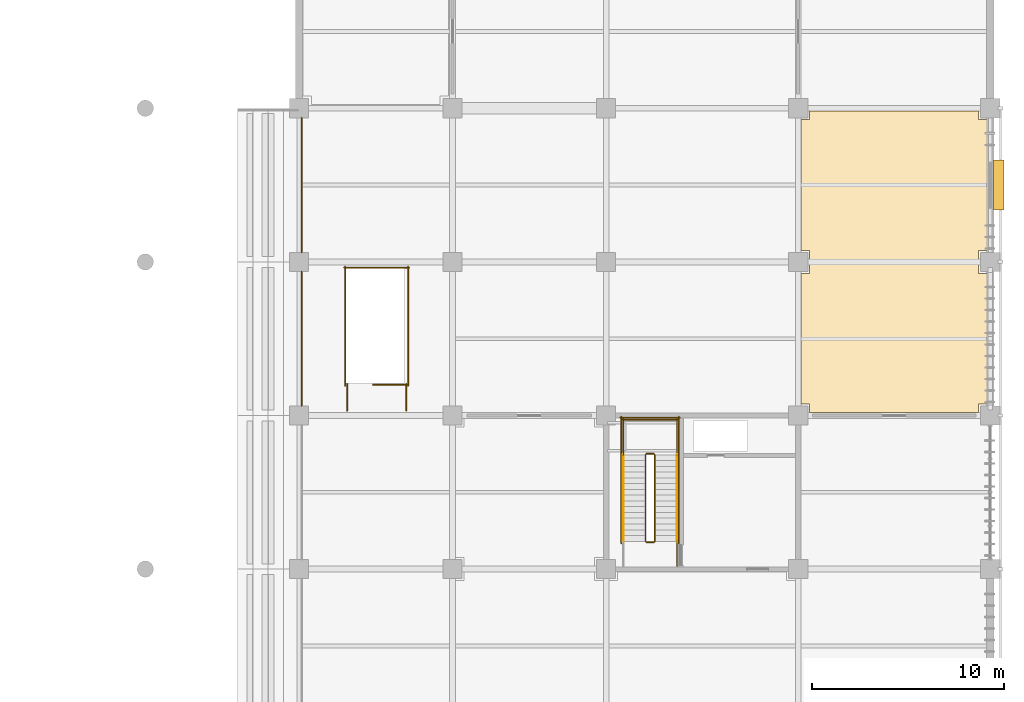
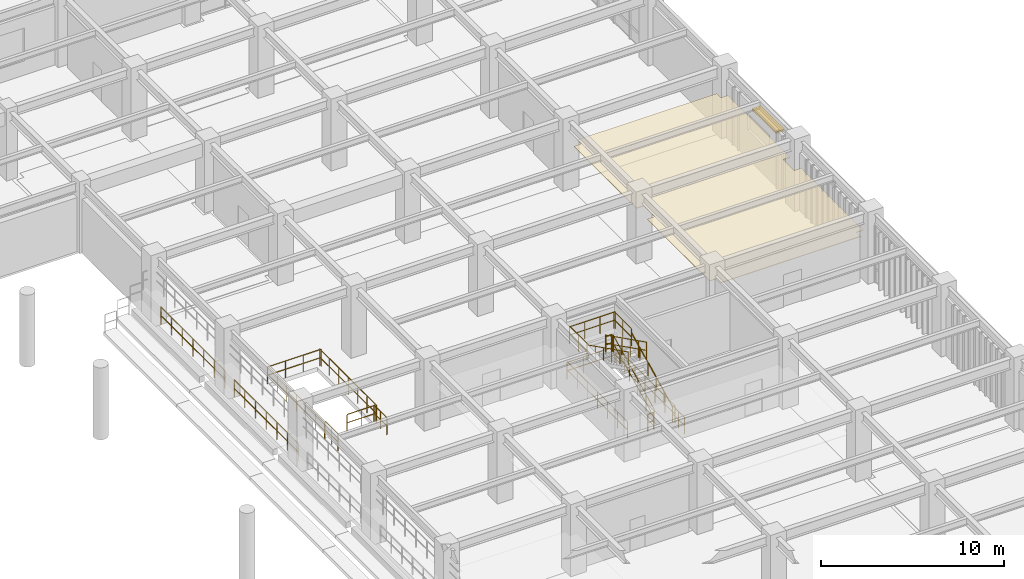
# One storey, part 113 of 117: 21 railings, 1 covering, 1 shading device.
"""IFC4 building model written with IfcOpenShell, lengths in metres."""

from ifc_helpers import new_model, si_unit, direction, frame, origin, origin_2d, place, context, subcontext, project, spatial, polyline, rectangle, circle, outline, extrude, material, layer, layer_set, type_object, element, save


model = new_model("IFC4")

# Units and contexts
model_context = context("Model", 3, precision=1e-05, world=origin(), true_north=direction((0.0, 1.0)))
body_context = subcontext(model_context, "Body", "Model", "MODEL_VIEW")
ifc_project = project(units=[si_unit("LENGTHUNIT", "METRE"), si_unit("AREAUNIT", "SQUARE_METRE"), si_unit("VOLUMEUNIT", "CUBIC_METRE"), si_unit("PLANEANGLEUNIT", "RADIAN"), si_unit("MASSUNIT", "GRAM", prefix="KILO")], contexts=[model_context])

# Site, building, storey
site_placement = place(None, origin())
site = spatial("IfcSite", under=ifc_project, at=site_placement, CompositionType="ELEMENT")
building_placement = place(site_placement, origin())
building = spatial("IfcBuilding", under=site, at=building_placement, Name="Haebicheon Civic Stadium", CompositionType="ELEMENT")
storey_placement = place(building_placement, frame((0.0, 0.0, 4.800048828125)))
storey = spatial("IfcBuildingStorey", under=building, at=storey_placement, Name="L02", CompositionType="ELEMENT", Elevation=4.800048828125)

# Covering
ifc_material_1 = material(Name="Perforated mineral-fibre acoustic board", Category="gypsum")
ifc_layer_1 = layer(ifc_material_1, 0.0400390625, Name="Perforated mineral-fibre acoustic board")
ifc_layer_set_1 = layer_set([ifc_layer_1], Name="Perforated mineral-fibre acoustic board")
covering_type = type_object("IfcCoveringType", Name="COV-CLG-AC", PredefinedType="CEILING", material=ifc_layer_set_1)
covering_placement = place(storey_placement, frame((0.0, 0.0, 2.81005859375)))
element("IfcCovering", 1, at=covering_placement, inside=storey, type_object=covering_type, material=ifc_layer_set_1, Name="L02 Community Fitness Studio acoustic ceiling", PredefinedType="CEILING", context=body_context, shape_type="SweptSolid", body=[
    extrude(outline(polyline([(226.594970703125, 112.14501953125), (226.594970703125, 112.594970703125), (226.14501953125, 112.594970703125), (226.14501953125, 119.405029296875), (226.594970703125, 119.405029296875), (226.594970703125, 120.594970703125), (226.14501953125, 120.594970703125), (226.14501953125, 127.405029296875), (226.594970703125, 127.405029296875), (226.594970703125, 127.85498046875), (235.405029296875, 127.85498046875), (235.405029296875, 127.405029296875), (235.85498046875, 127.405029296875), (235.85498046875, 120.594970703125), (235.405029296875, 120.594970703125), (235.405029296875, 119.405029296875), (235.85498046875, 119.405029296875), (235.85498046875, 112.594970703125), (235.405029296875, 112.594970703125), (235.405029296875, 112.14501953125), (226.594970703125, 112.14501953125)])), origin(), (0.0, 0.0, 1.0), 0.039794921875),
])

# Railings
ifc_material_2 = material(Name="Stainless steel 316 and laminated glass", Category="steel")
railing_type_1 = type_object("IfcRailingType", Name="RL-BAL-1200", PredefinedType="BALUSTRADE", material=ifc_material_2)
for number, where, name in (
    (2, (200.139892578125, 112.5, 0.0), "L02 concourse bowl-edge balustrade 040"),
    (3, (200.139892578125, 120.5, 0.0), "L02 concourse bowl-edge balustrade 041"),
):
    element("IfcRailing", number, at=place(storey_placement, frame(where)), inside=storey, type_object=railing_type_1, material=ifc_material_2, Name=name, PredefinedType="BALUSTRADE", context=body_context, shape_type="SweptSolid", body=[
        extrude(circle(Radius=0.02392578125, at=origin_2d()), frame((0.0, 0.0, 1.17578125), z_axis=(0.0, 1.0, 0.0), x_axis=(-1.0, 0.0, 0.0)), (0.0, 0.0, 1.0), 7.0),
        extrude(circle(Radius=0.02392578125, at=origin_2d()), frame((0.0, 0.0, 0.60009765625), z_axis=(0.0, 1.0, 0.0), x_axis=(-1.0, 0.0, 0.0)), (0.0, 0.0, 1.0), 7.0),
        extrude(circle(Radius=0.02099609375, at=origin_2d()), origin(), (0.0, 0.0, 1.0), 1.15185546875),
        extrude(circle(Radius=0.02099609375, at=origin_2d()), frame((0.0, 1.166748046875, 0.0)), (0.0, 0.0, 1.0), 1.15185546875),
        extrude(circle(Radius=0.02099609375, at=origin_2d()), frame((0.0, 2.333251953125, 0.0)), (0.0, 0.0, 1.0), 1.15185546875),
        extrude(circle(Radius=0.02099609375, at=origin_2d()), frame((0.0, 3.5, 0.0)), (0.0, 0.0, 1.0), 1.15185546875),
        extrude(circle(Radius=0.02099609375, at=origin_2d()), frame((0.0, 4.666748046875, 0.0)), (0.0, 0.0, 1.0), 1.15185546875),
        extrude(circle(Radius=0.02099609375, at=origin_2d()), frame((0.0, 5.833251953125, 0.0)), (0.0, 0.0, 1.0), 1.15185546875),
        extrude(circle(Radius=0.02099609375, at=origin_2d()), frame((0.0, 7.0, 0.0)), (0.0, 0.0, 1.0), 1.15185546875),
    ])
ifc_material_3 = material(Name="Galvanised painted steel SM355", Category="steel")
railing_type_2 = type_object("IfcRailingType", Name="RL-GRD-1150", PredefinedType="GUARDRAIL", material=ifc_material_3)
railing_1_placement = place(storey_placement, frame((218.530029296875, 105.449951171875, 0.14990234375)))
element("IfcRailing", 4, at=railing_1_placement, inside=storey, type_object=railing_type_2, material=ifc_material_3, Name="L02 ST-13 stair guard 1", PredefinedType="GUARDRAIL", context=body_context, shape_type="SweptSolid", body=[
    extrude(circle(Radius=0.02392578125, at=origin_2d()), frame((0.0, 0.0, 1.1259765625), z_axis=(0.0, 0.894427191, 0.4472135955), x_axis=(-1.0, 0.0, 0.0)), (0.0, 0.0, 1.0), 5.03125),
    extrude(circle(Radius=0.02392578125, at=origin_2d()), frame((0.0, 0.0, 0.574951171875), z_axis=(0.0, 0.894427191, 0.4472135955), x_axis=(-1.0, 0.0, 0.0)), (0.0, 0.0, 1.0), 5.03125),
    extrude(circle(Radius=0.02099609375, at=origin_2d()), origin(), (0.0, 0.0, 1.0), 1.101806640625),
    extrude(circle(Radius=0.02099609375, at=origin_2d()), frame((0.0, 0.89990234375, 0.449951171875)), (0.0, 0.0, 1.0), 1.101806640625),
    extrude(circle(Radius=0.02099609375, at=origin_2d()), frame((0.0, 1.800048828125, 0.89990234375)), (0.0, 0.0, 1.0), 1.101806640625),
    extrude(circle(Radius=0.02099609375, at=origin_2d()), frame((0.0, 2.699951171875, 1.35009765625)), (0.0, 0.0, 1.0), 1.101806640625),
    extrude(circle(Radius=0.02099609375, at=origin_2d()), frame((0.0, 3.60009765625, 1.800048828125)), (0.0, 0.0, 1.0), 1.101806640625),
    extrude(circle(Radius=0.02099609375, at=origin_2d()), frame((0.0, 4.5, 2.25)), (0.0, 0.0, 1.0), 1.101806640625),
])
railing_2_placement = place(storey_placement, frame((218.47998046875, 110.0, 2.39990234375)))
element("IfcRailing", 5, at=railing_2_placement, inside=storey, type_object=railing_type_2, material=ifc_material_3, Name="L02 ST-13 stair guard 2", PredefinedType="GUARDRAIL", context=body_context, shape_type="SweptSolid", body=[
    extrude(circle(Radius=0.02392578125, at=origin_2d()), frame((0.0, 0.0, 1.1259765625), z_axis=(-1.0, 0.0, 0.0), x_axis=(0.0, -1.0, 0.0)), (0.0, 0.0, 1.0), 0.3798828125),
    extrude(circle(Radius=0.02392578125, at=origin_2d()), frame((0.0, 0.0, 0.574951171875), z_axis=(-1.0, 0.0, 0.0), x_axis=(0.0, -1.0, 0.0)), (0.0, 0.0, 1.0), 0.3798828125),
    extrude(circle(Radius=0.02099609375, at=origin_2d()), origin(), (0.0, 0.0, 1.0), 1.101806640625),
    extrude(circle(Radius=0.02099609375, at=origin_2d()), frame((-0.3798828125, 0.0, 0.0)), (0.0, 0.0, 1.0), 1.101806640625),
])
for number, where, name in (
    (6, (219.68994140625, 109.949951171875, 2.39990234375), "L02 ST-13 stair guard 3"),
    (7, (216.889892578125, 109.949951171875, 2.39990234375), "L02 ST-13 stair guard 4"),
):
    element("IfcRailing", number, at=place(storey_placement, frame(where)), inside=storey, type_object=railing_type_2, material=ifc_material_3, Name=name, PredefinedType="GUARDRAIL", context=body_context, shape_type="SweptSolid", body=[
        extrude(circle(Radius=0.02392578125, at=origin_2d()), frame((0.0, 0.0, 1.1259765625), z_axis=(0.0, 1.0, 0.0), x_axis=(-1.0, 0.0, 0.0)), (0.0, 0.0, 1.0), 1.89013671875),
        extrude(circle(Radius=0.02392578125, at=origin_2d()), frame((0.0, 0.0, 0.574951171875), z_axis=(0.0, 1.0, 0.0), x_axis=(-1.0, 0.0, 0.0)), (0.0, 0.0, 1.0), 1.89013671875),
        extrude(circle(Radius=0.02099609375, at=origin_2d()), origin(), (0.0, 0.0, 1.0), 1.101806640625),
        extrude(circle(Radius=0.02099609375, at=origin_2d()), frame((0.0, 0.945068359375, 0.0)), (0.0, 0.0, 1.0), 1.101806640625),
        extrude(circle(Radius=0.02099609375, at=origin_2d()), frame((0.0, 1.89013671875, 0.0)), (0.0, 0.0, 1.0), 1.101806640625),
    ])
railing_3_placement = place(storey_placement, frame((219.739990234375, 111.7900390625, 2.39990234375)))
element("IfcRailing", 8, at=railing_3_placement, inside=storey, type_object=railing_type_2, material=ifc_material_3, Name="L02 ST-13 stair guard 5", PredefinedType="GUARDRAIL", context=body_context, shape_type="SweptSolid", body=[
    extrude(circle(Radius=0.02392578125, at=origin_2d()), frame((0.0, 0.0, 1.1259765625), z_axis=(-1.0, 0.0, 0.0), x_axis=(0.0, -1.0, 0.0)), (0.0, 0.0, 1.0), 2.89990234375),
    extrude(circle(Radius=0.02392578125, at=origin_2d()), frame((0.0, 0.0, 0.574951171875), z_axis=(-1.0, 0.0, 0.0), x_axis=(0.0, -1.0, 0.0)), (0.0, 0.0, 1.0), 2.89990234375),
    extrude(circle(Radius=0.02099609375, at=origin_2d()), origin(), (0.0, 0.0, 1.0), 1.101806640625),
    extrude(circle(Radius=0.02099609375, at=origin_2d()), frame((-0.966552734375, 0.0, 0.0)), (0.0, 0.0, 1.0), 1.101806640625),
    extrude(circle(Radius=0.02099609375, at=origin_2d()), frame((-1.933349609375, 0.0, 0.0)), (0.0, 0.0, 1.0), 1.101806640625),
    extrude(circle(Radius=0.02099609375, at=origin_2d()), frame((-2.89990234375, 0.0, 0.0)), (0.0, 0.0, 1.0), 1.101806640625),
])
railing_4_placement = place(storey_placement, frame((218.050048828125, 109.949951171875, 2.550048828125)))
element("IfcRailing", 9, at=railing_4_placement, inside=storey, type_object=railing_type_2, material=ifc_material_3, Name="L02 ST-13 stair guard 6", PredefinedType="GUARDRAIL", context=body_context, shape_type="SweptSolid", body=[
    extrude(circle(Radius=0.02392578125, at=origin_2d()), frame((0.0, 0.0, 1.1259765625), z_axis=(0.0, -0.894427191, 0.4472135955), x_axis=(1.0, 0.0, 0.0)), (0.0, 0.0, 1.0), 5.03125),
    extrude(circle(Radius=0.02392578125, at=origin_2d()), frame((0.0, 0.0, 0.574951171875), z_axis=(0.0, -0.894427191, 0.4472135955), x_axis=(1.0, 0.0, 0.0)), (0.0, 0.0, 1.0), 5.03125),
    extrude(circle(Radius=0.02099609375, at=origin_2d()), origin(), (0.0, 0.0, 1.0), 1.101806640625),
    extrude(circle(Radius=0.02099609375, at=origin_2d()), frame((0.0, -0.89990234375, 0.449951171875)), (0.0, 0.0, 1.0), 1.101806640625),
    extrude(circle(Radius=0.02099609375, at=origin_2d()), frame((0.0, -1.800048828125, 0.89990234375)), (0.0, 0.0, 1.0), 1.101806640625),
    extrude(circle(Radius=0.02099609375, at=origin_2d()), frame((0.0, -2.699951171875, 1.35009765625)), (0.0, 0.0, 1.0), 1.101806640625),
    extrude(circle(Radius=0.02099609375, at=origin_2d()), frame((0.0, -3.60009765625, 1.800048828125)), (0.0, 0.0, 1.0), 1.101806640625),
    extrude(circle(Radius=0.02099609375, at=origin_2d()), frame((0.0, -4.5, 2.25)), (0.0, 0.0, 1.0), 1.101806640625),
])
railing_5_placement = place(storey_placement, frame((218.47998046875, 105.39990234375, 0.0)))
element("IfcRailing", 10, at=railing_5_placement, inside=storey, type_object=railing_type_2, material=ifc_material_3, Name="L02 ST-13 stair guard 7", PredefinedType="GUARDRAIL", context=body_context, shape_type="SweptSolid", body=[
    extrude(circle(Radius=0.02392578125, at=origin_2d()), frame((0.0, 0.0, 1.1259765625), z_axis=(-1.0, 0.0, 0.0), x_axis=(0.0, -1.0, 0.0)), (0.0, 0.0, 1.0), 0.3798828125),
    extrude(circle(Radius=0.02392578125, at=origin_2d()), frame((0.0, 0.0, 0.574951171875), z_axis=(-1.0, 0.0, 0.0), x_axis=(0.0, -1.0, 0.0)), (0.0, 0.0, 1.0), 0.3798828125),
    extrude(circle(Radius=0.02099609375, at=origin_2d()), origin(), (0.0, 0.0, 1.0), 1.101806640625),
    extrude(circle(Radius=0.02099609375, at=origin_2d()), frame((-0.3798828125, 0.0, 0.0)), (0.0, 0.0, 1.0), 1.101806640625),
])
railing_6_placement = place(storey_placement, frame((219.68994140625, 104.159912109375, 0.0)))
element("IfcRailing", 11, at=railing_6_placement, inside=storey, type_object=railing_type_2, material=ifc_material_3, Name="L02 ST-13 stair guard 8", PredefinedType="GUARDRAIL", context=body_context, shape_type="SweptSolid", body=[
    extrude(circle(Radius=0.02392578125, at=origin_2d()), frame((0.0, 0.0, 1.1259765625), z_axis=(0.0, 1.0, 0.0), x_axis=(-1.0, 0.0, 0.0)), (0.0, 0.0, 1.0), 1.2900390625),
    extrude(circle(Radius=0.02392578125, at=origin_2d()), frame((0.0, 0.0, 0.574951171875), z_axis=(0.0, 1.0, 0.0), x_axis=(-1.0, 0.0, 0.0)), (0.0, 0.0, 1.0), 1.2900390625),
    extrude(circle(Radius=0.02099609375, at=origin_2d()), origin(), (0.0, 0.0, 1.0), 1.101806640625),
    extrude(circle(Radius=0.02099609375, at=origin_2d()), frame((0.0, 0.64501953125, 0.0)), (0.0, 0.0, 1.0), 1.101806640625),
    extrude(circle(Radius=0.02099609375, at=origin_2d()), frame((0.0, 1.2900390625, 0.0)), (0.0, 0.0, 1.0), 1.101806640625),
])
for number, where, name in (
    (12, (219.7900390625, 105.35009765625, 0.0), "L02 ST-13 stair guard 10"),
    (13, (216.7900390625, 105.35009765625, 0.0), "L02 ST-13 stair guard 11"),
):
    element("IfcRailing", number, at=place(storey_placement, frame(where)), inside=storey, type_object=railing_type_2, material=ifc_material_3, Name=name, PredefinedType="GUARDRAIL", context=body_context, shape_type="SweptSolid", body=[
        extrude(circle(Radius=0.02392578125, at=origin_2d()), frame((0.0, 0.0, 1.1259765625), z_axis=(0.0, 1.0, 0.0), x_axis=(-1.0, 0.0, 0.0)), (0.0, 0.0, 1.0), 6.58984375),
        extrude(circle(Radius=0.02392578125, at=origin_2d()), frame((0.0, 0.0, 0.574951171875), z_axis=(0.0, 1.0, 0.0), x_axis=(-1.0, 0.0, 0.0)), (0.0, 0.0, 1.0), 6.58984375),
        extrude(circle(Radius=0.02099609375, at=origin_2d()), origin(), (0.0, 0.0, 1.0), 1.101806640625),
        extrude(circle(Radius=0.02099609375, at=origin_2d()), frame((0.0, 1.098388671875, 0.0)), (0.0, 0.0, 1.0), 1.101806640625),
        extrude(circle(Radius=0.02099609375, at=origin_2d()), frame((0.0, 2.196533203125, 0.0)), (0.0, 0.0, 1.0), 1.101806640625),
        extrude(circle(Radius=0.02099609375, at=origin_2d()), frame((0.0, 3.294921875, 0.0)), (0.0, 0.0, 1.0), 1.101806640625),
        extrude(circle(Radius=0.02099609375, at=origin_2d()), frame((0.0, 4.393310546875, 0.0)), (0.0, 0.0, 1.0), 1.101806640625),
        extrude(circle(Radius=0.02099609375, at=origin_2d()), frame((0.0, 5.491455078125, 0.0)), (0.0, 0.0, 1.0), 1.101806640625),
        extrude(circle(Radius=0.02099609375, at=origin_2d()), frame((0.0, 6.58984375, 0.0)), (0.0, 0.0, 1.0), 1.101806640625),
    ])
railing_7_placement = place(storey_placement, frame((219.840087890625, 111.889892578125, 0.0)))
element("IfcRailing", 14, at=railing_7_placement, inside=storey, type_object=railing_type_2, material=ifc_material_3, Name="L02 ST-13 stair guard 12", PredefinedType="GUARDRAIL", context=body_context, shape_type="SweptSolid", body=[
    extrude(circle(Radius=0.02392578125, at=origin_2d()), frame((0.0, 0.0, 1.1259765625), z_axis=(-1.0, 0.0, 0.0), x_axis=(0.0, -1.0, 0.0)), (0.0, 0.0, 1.0), 3.10009765625),
    extrude(circle(Radius=0.02392578125, at=origin_2d()), frame((0.0, 0.0, 0.574951171875), z_axis=(-1.0, 0.0, 0.0), x_axis=(0.0, -1.0, 0.0)), (0.0, 0.0, 1.0), 3.10009765625),
    extrude(circle(Radius=0.02099609375, at=origin_2d()), origin(), (0.0, 0.0, 1.0), 1.101806640625),
    extrude(circle(Radius=0.02099609375, at=origin_2d()), frame((-1.033447265625, 0.0, 0.0)), (0.0, 0.0, 1.0), 1.101806640625),
    extrude(circle(Radius=0.02099609375, at=origin_2d()), frame((-2.066650390625, 0.0, 0.0)), (0.0, 0.0, 1.0), 1.101806640625),
    extrude(circle(Radius=0.02099609375, at=origin_2d()), frame((-3.10009765625, 0.0, 0.0)), (0.0, 0.0, 1.0), 1.101806640625),
])
railing_8_placement = place(storey_placement, frame((205.639892578125, 113.60009765625, 0.0)))
element("IfcRailing", 15, at=railing_8_placement, inside=storey, type_object=railing_type_2, material=ifc_material_3, Name="L02 VM-12 top well guard 1", PredefinedType="GUARDRAIL", context=body_context, shape_type="SweptSolid", body=[
    extrude(circle(Radius=0.02392578125, at=origin_2d()), frame((0.0, 0.0, 1.1259765625), z_axis=(-1.0, 0.0, 0.0), x_axis=(0.0, -1.0, 0.0)), (0.0, 0.0, 1.0), 1.77978515625),
    extrude(circle(Radius=0.02392578125, at=origin_2d()), frame((0.0, 0.0, 0.574951171875), z_axis=(-1.0, 0.0, 0.0), x_axis=(0.0, -1.0, 0.0)), (0.0, 0.0, 1.0), 1.77978515625),
    extrude(circle(Radius=0.02099609375, at=origin_2d()), origin(), (0.0, 0.0, 1.0), 1.101806640625),
    extrude(circle(Radius=0.02099609375, at=origin_2d()), frame((-0.889892578125, 0.0, 0.0)), (0.0, 0.0, 1.0), 1.101806640625),
    extrude(circle(Radius=0.02099609375, at=origin_2d()), frame((-1.77978515625, 0.0, 0.0)), (0.0, 0.0, 1.0), 1.101806640625),
])
for number, where, name in (
    (16, (205.68994140625, 113.550048828125, 0.0), "L02 VM-12 top well guard 2"),
    (17, (202.409912109375, 113.550048828125, 0.0), "L02 VM-12 top well guard 3"),
):
    element("IfcRailing", number, at=place(storey_placement, frame(where)), inside=storey, type_object=railing_type_2, material=ifc_material_3, Name=name, PredefinedType="GUARDRAIL", context=body_context, shape_type="SweptSolid", body=[
        extrude(circle(Radius=0.02392578125, at=origin_2d()), frame((0.0, 0.0, 1.1259765625), z_axis=(0.0, 1.0, 0.0), x_axis=(-1.0, 0.0, 0.0)), (0.0, 0.0, 1.0), 6.199951171875),
        extrude(circle(Radius=0.02392578125, at=origin_2d()), frame((0.0, 0.0, 0.574951171875), z_axis=(0.0, 1.0, 0.0), x_axis=(-1.0, 0.0, 0.0)), (0.0, 0.0, 1.0), 6.199951171875),
        extrude(circle(Radius=0.02099609375, at=origin_2d()), origin(), (0.0, 0.0, 1.0), 1.101806640625),
        extrude(circle(Radius=0.02099609375, at=origin_2d()), frame((0.0, 1.033203125, 0.0)), (0.0, 0.0, 1.0), 1.101806640625),
        extrude(circle(Radius=0.02099609375, at=origin_2d()), frame((0.0, 2.066650390625, 0.0)), (0.0, 0.0, 1.0), 1.101806640625),
        extrude(circle(Radius=0.02099609375, at=origin_2d()), frame((0.0, 3.10009765625, 0.0)), (0.0, 0.0, 1.0), 1.101806640625),
        extrude(circle(Radius=0.02099609375, at=origin_2d()), frame((0.0, 4.13330078125, 0.0)), (0.0, 0.0, 1.0), 1.101806640625),
        extrude(circle(Radius=0.02099609375, at=origin_2d()), frame((0.0, 5.16650390625, 0.0)), (0.0, 0.0, 1.0), 1.101806640625),
        extrude(circle(Radius=0.02099609375, at=origin_2d()), frame((0.0, 6.199951171875, 0.0)), (0.0, 0.0, 1.0), 1.101806640625),
    ])
railing_9_placement = place(storey_placement, frame((205.739990234375, 119.699951171875, 0.0)))
element("IfcRailing", 18, at=railing_9_placement, inside=storey, type_object=railing_type_2, material=ifc_material_3, Name="L02 VM-12 top well guard 4", PredefinedType="GUARDRAIL", context=body_context, shape_type="SweptSolid", body=[
    extrude(circle(Radius=0.02392578125, at=origin_2d()), frame((0.0, 0.0, 1.1259765625), z_axis=(-1.0, 0.0, 0.0), x_axis=(0.0, -1.0, 0.0)), (0.0, 0.0, 1.0), 3.3798828125),
    extrude(circle(Radius=0.02392578125, at=origin_2d()), frame((0.0, 0.0, 0.574951171875), z_axis=(-1.0, 0.0, 0.0), x_axis=(0.0, -1.0, 0.0)), (0.0, 0.0, 1.0), 3.3798828125),
    extrude(circle(Radius=0.02099609375, at=origin_2d()), origin(), (0.0, 0.0, 1.0), 1.101806640625),
    extrude(circle(Radius=0.02099609375, at=origin_2d()), frame((-1.126708984375, 0.0, 0.0)), (0.0, 0.0, 1.0), 1.101806640625),
    extrude(circle(Radius=0.02099609375, at=origin_2d()), frame((-2.253173828125, 0.0, 0.0)), (0.0, 0.0, 1.0), 1.101806640625),
    extrude(circle(Radius=0.02099609375, at=origin_2d()), frame((-3.3798828125, 0.0, 0.0)), (0.0, 0.0, 1.0), 1.101806640625),
])
for number, where, name in (
    (19, (205.590087890625, 112.25, 0.0), "L02 VM-12 top well guard 5"),
    (20, (202.510009765625, 112.25, 0.0), "L02 VM-12 top well guard 6"),
):
    element("IfcRailing", number, at=place(storey_placement, frame(where)), inside=storey, type_object=railing_type_2, material=ifc_material_3, Name=name, PredefinedType="GUARDRAIL", context=body_context, shape_type="SweptSolid", body=[
        extrude(circle(Radius=0.02392578125, at=origin_2d()), frame((0.0, 0.0, 1.1259765625), z_axis=(0.0, 1.0, 0.0), x_axis=(-1.0, 0.0, 0.0)), (0.0, 0.0, 1.0), 1.39990234375),
        extrude(circle(Radius=0.02392578125, at=origin_2d()), frame((0.0, 0.0, 0.574951171875), z_axis=(0.0, 1.0, 0.0), x_axis=(-1.0, 0.0, 0.0)), (0.0, 0.0, 1.0), 1.39990234375),
        extrude(circle(Radius=0.02099609375, at=origin_2d()), origin(), (0.0, 0.0, 1.0), 1.101806640625),
        extrude(circle(Radius=0.02099609375, at=origin_2d()), frame((0.0, 0.699951171875, 0.0)), (0.0, 0.0, 1.0), 1.101806640625),
        extrude(circle(Radius=0.02099609375, at=origin_2d()), frame((0.0, 1.39990234375, 0.0)), (0.0, 0.0, 1.0), 1.101806640625),
    ])
ifc_material_4 = material(Name="Stainless steel 316", Category="steel")
railing_type_3 = type_object("IfcRailingType", Name="RL-HND-900", PredefinedType="HANDRAIL", material=ifc_material_4)
railing_10_placement = place(storey_placement, frame((219.68994140625, 105.449951171875, 0.14990234375)))
element("IfcRailing", 21, at=railing_10_placement, inside=storey, type_object=railing_type_3, material=ifc_material_4, Name="L02 ST-13 stair handrail 1", PredefinedType="HANDRAIL", context=body_context, shape_type="SweptSolid", body=[
    extrude(circle(Radius=0.02392578125, at=origin_2d()), frame((0.0, 0.0, 0.8759765625), z_axis=(0.0, 0.894427191, 0.4472135955), x_axis=(-1.0, 0.0, 0.0)), (0.0, 0.0, 1.0), 5.03125),
    extrude(circle(Radius=0.02099609375, at=origin_2d()), origin(), (0.0, 0.0, 1.0), 0.851806640625),
    extrude(circle(Radius=0.02099609375, at=origin_2d()), frame((0.0, 0.89990234375, 0.449951171875)), (0.0, 0.0, 1.0), 0.851806640625),
    extrude(circle(Radius=0.02099609375, at=origin_2d()), frame((0.0, 1.800048828125, 0.89990234375)), (0.0, 0.0, 1.0), 0.851806640625),
    extrude(circle(Radius=0.02099609375, at=origin_2d()), frame((0.0, 2.699951171875, 1.35009765625)), (0.0, 0.0, 1.0), 0.851806640625),
    extrude(circle(Radius=0.02099609375, at=origin_2d()), frame((0.0, 3.60009765625, 1.800048828125)), (0.0, 0.0, 1.0), 0.851806640625),
    extrude(circle(Radius=0.02099609375, at=origin_2d()), frame((0.0, 4.5, 2.25)), (0.0, 0.0, 1.0), 0.851806640625),
])
railing_11_placement = place(storey_placement, frame((216.889892578125, 109.949951171875, 2.550048828125)))
element("IfcRailing", 22, at=railing_11_placement, inside=storey, type_object=railing_type_3, material=ifc_material_4, Name="L02 ST-13 stair handrail 2", PredefinedType="HANDRAIL", context=body_context, shape_type="SweptSolid", body=[
    extrude(circle(Radius=0.02392578125, at=origin_2d()), frame((0.0, 0.0, 0.8759765625), z_axis=(0.0, -0.894427191, 0.4472135955), x_axis=(1.0, 0.0, 0.0)), (0.0, 0.0, 1.0), 5.03125),
    extrude(circle(Radius=0.02099609375, at=origin_2d()), origin(), (0.0, 0.0, 1.0), 0.851806640625),
    extrude(circle(Radius=0.02099609375, at=origin_2d()), frame((0.0, -0.89990234375, 0.449951171875)), (0.0, 0.0, 1.0), 0.851806640625),
    extrude(circle(Radius=0.02099609375, at=origin_2d()), frame((0.0, -1.800048828125, 0.89990234375)), (0.0, 0.0, 1.0), 0.851806640625),
    extrude(circle(Radius=0.02099609375, at=origin_2d()), frame((0.0, -2.699951171875, 1.35009765625)), (0.0, 0.0, 1.0), 0.851806640625),
    extrude(circle(Radius=0.02099609375, at=origin_2d()), frame((0.0, -3.60009765625, 1.800048828125)), (0.0, 0.0, 1.0), 0.851806640625),
    extrude(circle(Radius=0.02099609375, at=origin_2d()), frame((0.0, -4.5, 2.25)), (0.0, 0.0, 1.0), 0.851806640625),
])

# Shading device
ifc_material_5 = material(Name="Anodised aluminium 6063-T6", Category="aluminium")
ifc_layer_2 = layer(ifc_material_5, 0.1201171875, Name="Anodised aluminium 6063-T6")
ifc_layer_set_2 = layer_set([ifc_layer_2], Name="Anodised aluminium 6063-T6")
shading_device_type = type_object("IfcShadingDeviceType", Name="SHD-ALU-LVR", PredefinedType="USERDEFINED", material=ifc_layer_set_2)
shading_device_placement = place(storey_placement, frame((236.445068359375, 124.0, 3.019775390625), z_axis=(0.0, 0.0, 1.0), x_axis=(1.0, 0.0, 0.0)))
element("IfcShadingDevice", 23, at=shading_device_placement, inside=storey, type_object=shading_device_type, material=ifc_layer_set_2, Name="L02 window sunshade louvre hood 25", ObjectType="LOUVRE", PredefinedType="USERDEFINED", context=body_context, shape_type="SweptSolid", body=[
    extrude(rectangle(XDim=0.550048828125, YDim=2.60009765625, at=origin_2d()), origin(), (0.0, 0.0, 1.0), 0.1201171875),
])

save(model, "model.ifc")
